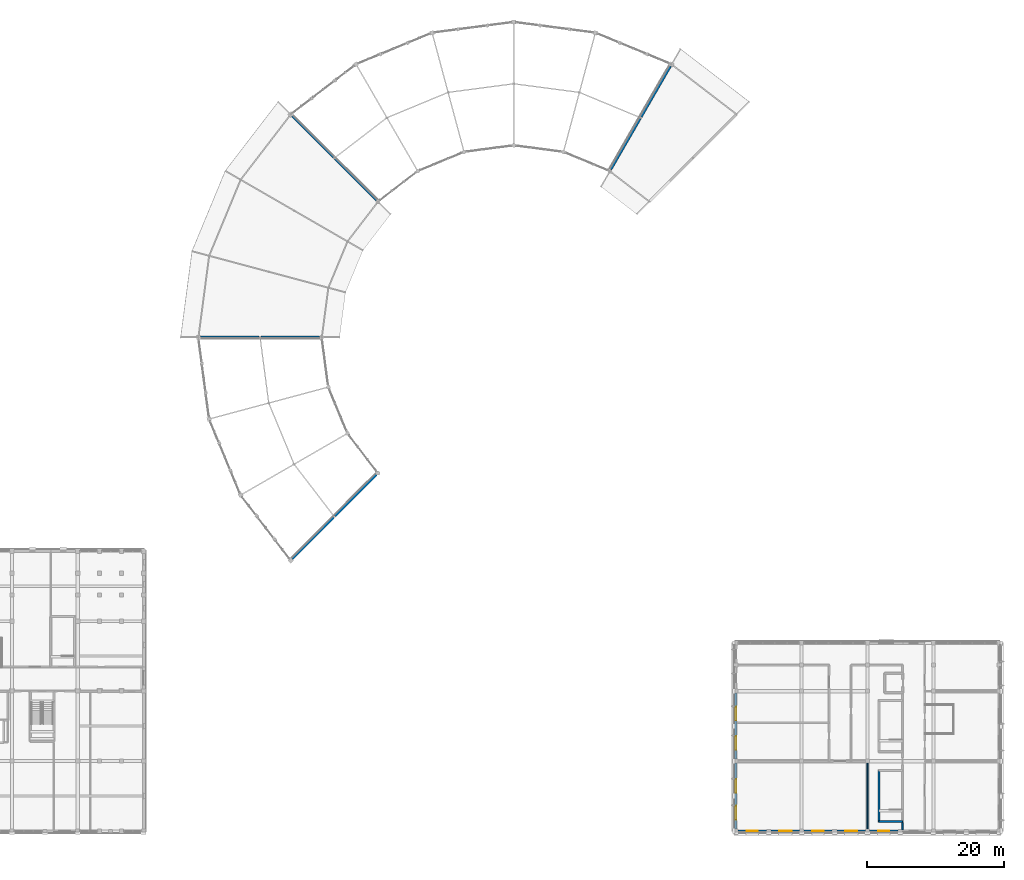
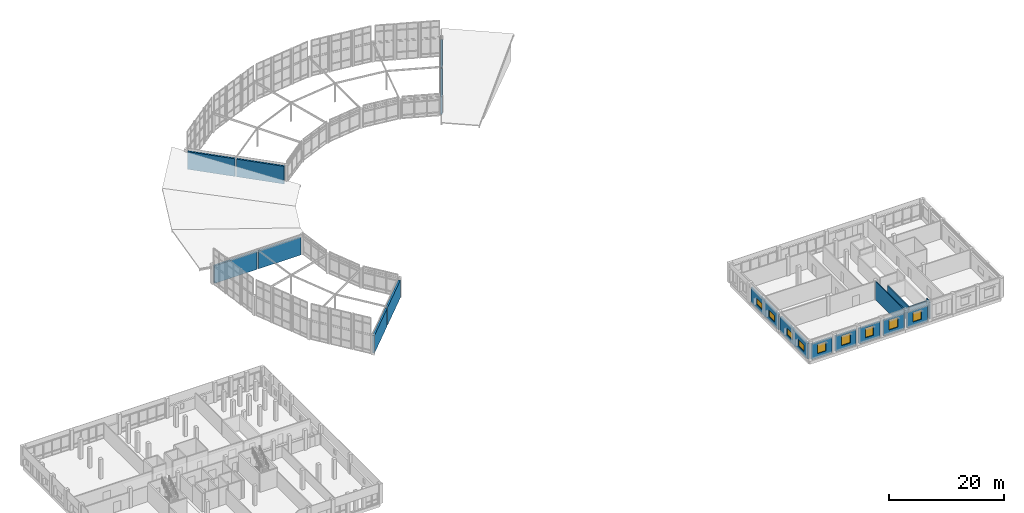
# One storey, part 82 of 93: 19 walls, 9 windows, 9 openings.
"""IFC4 building model written with IfcOpenShell, lengths in metres."""

from ifc_helpers import new_model, si_unit, direction, frame, frame_2d, origin, place, context, subcontext, project, spatial, rectangle, extrude, material, layer, layer_set, type_object, element, fill, save


model = new_model("IFC4")

# Units and contexts
model_context = context("Model", 3, precision=1e-05, world=origin(), true_north=direction((0.0, 1.0)))
body_context = subcontext(model_context, "Body", "Model", "MODEL_VIEW")
ifc_project = project(units=[si_unit("LENGTHUNIT", "METRE"), si_unit("AREAUNIT", "SQUARE_METRE"), si_unit("VOLUMEUNIT", "CUBIC_METRE"), si_unit("PLANEANGLEUNIT", "RADIAN"), si_unit("MASSUNIT", "GRAM", prefix="KILO")], contexts=[model_context])

# Site, building, storey
site_placement = place(None, origin())
site = spatial("IfcSite", under=ifc_project, at=site_placement, CompositionType="ELEMENT")
building_placement = place(site_placement, origin())
building = spatial("IfcBuilding", under=site, at=building_placement, Name="Vondelvale Polytechnic", CompositionType="ELEMENT")
storey_placement = place(building_placement, frame((0.0, 0.0, 18.0)))
storey = spatial("IfcBuildingStorey", under=building, at=storey_placement, Name="L04", CompositionType="ELEMENT", Elevation=18.0)

# Wall, opening, window
ifc_material_1 = material(Name="Amsterdam School iron-spot clinker clay brickwork", Category="masonry")
ifc_layer_1 = layer(ifc_material_1, 0.35009765625)
ifc_layer_set_1 = layer_set([ifc_layer_1], Name="WL-BRICK-350")
wall_type_1 = type_object("IfcWallType", Name="WL-BRICK-350", PredefinedType="SOLIDWALL", material=ifc_layer_set_1)
wall_1_placement = place(storey_placement, frame((138.84912109375, 0.0, 0.0), z_axis=(0.0, 0.0, 1.0), x_axis=(-1.0, 0.0, 0.0)))
wall_1 = element("IfcWall", 1, at=wall_1_placement, inside=storey, type_object=wall_type_1, Name="L04 exterior masonry facade wall", PredefinedType="SOLIDWALL", context=body_context, shape_type="SweptSolid", body=[
    extrude(rectangle(XDim=4.148193359375, YDim=0.35009765625, at=frame_2d((2.07421875, 0.0))), origin(), (0.0, 0.0, 1.0), 3.300048828125),
])
opening_1_placement = place(wall_1_placement, frame((1.2490234375, 0.0, 0.85009765625)))
opening_1 = element("IfcOpeningElement", 2, at=opening_1_placement, cuts=wall_1, Name="Opening WN-0416", PredefinedType="OPENING", context=body_context, shape_type="SweptSolid", body=[
    extrude(rectangle(XDim=1.64990234375, YDim=2.0, at=frame_2d((0.824951171875, 1.0))), frame((0.0, 0.18505859375, 0.0), z_axis=(0.0, -1.0, 0.0), x_axis=(1.0, 0.0, 0.0)), (0.0, 0.0, 1.0), 0.3701171875),
])
ifc_material_2 = material(Name="Double-glazed low-E insulated architectural glass", Category="glass")
window_type_1 = type_object("IfcWindowType", Name="WN-LAB-1650x2000", PartitioningType="SINGLE_PANEL", PredefinedType="WINDOW", material=ifc_material_2)
window_1_placement = place(opening_1_placement, origin())
window_1 = element("IfcWindow", 3, at=window_1_placement, inside=storey, type_object=window_type_1, Name="L04 double-glazed architectural window WN-0416", OverallHeight=2.0, OverallWidth=1.64990234375, PartitioningType="SINGLE_PANEL", PredefinedType="WINDOW", context=body_context, shape_type="SweptSolid", body=[
    extrude(rectangle(XDim=1.64990234375, YDim=2.0, at=frame_2d((0.824951171875, 1.0))), frame((0.0, 0.030029296875, 0.0), z_axis=(0.0, -1.0, 0.0), x_axis=(1.0, 0.0, 0.0)), (0.0, 0.0, 1.0), 0.06005859375),
])
fill(opening_1, window_1)

wall_2_placement = place(storey_placement, frame((143.698974609375, 0.0, 0.0), z_axis=(0.0, 0.0, 1.0), x_axis=(-1.0, 0.0, 0.0)))
wall_2 = element("IfcWall", 4, at=wall_2_placement, inside=storey, type_object=wall_type_1, Name="L04 exterior masonry facade wall", PredefinedType="SOLIDWALL", context=body_context, shape_type="SweptSolid", body=[
    extrude(rectangle(XDim=4.14794921875, YDim=0.35009765625, at=frame_2d((2.073974609375, 0.0))), origin(), (0.0, 0.0, 1.0), 3.300048828125),
])
opening_2_placement = place(wall_2_placement, frame((1.174072265625, 0.0, 0.85009765625)))
opening_2 = element("IfcOpeningElement", 5, at=opening_2_placement, cuts=wall_2, Name="Opening WN-0417", PredefinedType="OPENING", context=body_context, shape_type="SweptSolid", body=[
    extrude(rectangle(XDim=1.800048828125, YDim=2.10009765625, at=frame_2d((0.89990234375, 1.050048828125))), frame((0.0, 0.18505859375, 0.0), z_axis=(0.0, -1.0, 0.0), x_axis=(1.0, 0.0, 0.0)), (0.0, 0.0, 1.0), 0.3701171875),
])
window_type_2 = type_object("IfcWindowType", Name="WN-LAB-1800x2100", PartitioningType="SINGLE_PANEL", PredefinedType="WINDOW", material=ifc_material_2)
window_2_placement = place(opening_2_placement, origin())
window_2 = element("IfcWindow", 6, at=window_2_placement, inside=storey, type_object=window_type_2, Name="L04 double-glazed architectural window WN-0417", OverallHeight=2.10009765625, OverallWidth=1.800048828125, PartitioningType="SINGLE_PANEL", PredefinedType="WINDOW", context=body_context, shape_type="SweptSolid", body=[
    extrude(rectangle(XDim=1.800048828125, YDim=2.10009765625, at=frame_2d((0.89990234375, 1.050048828125))), frame((0.0, 0.030029296875, 0.0), z_axis=(0.0, -1.0, 0.0), x_axis=(1.0, 0.0, 0.0)), (0.0, 0.0, 1.0), 0.06005859375),
])
fill(opening_2, window_2)

wall_3_placement = place(storey_placement, frame((148.448974609375, 0.0, 0.0), z_axis=(0.0, 0.0, 1.0), x_axis=(-1.0, 0.0, 0.0)))
wall_3 = element("IfcWall", 7, at=wall_3_placement, inside=storey, type_object=wall_type_1, Name="L04 exterior masonry facade wall", PredefinedType="SOLIDWALL", context=body_context, shape_type="SweptSolid", body=[
    extrude(rectangle(XDim=4.14794921875, YDim=0.35009765625, at=frame_2d((2.073974609375, 0.0))), origin(), (0.0, 0.0, 1.0), 3.300048828125),
])
opening_3_placement = place(wall_3_placement, frame((1.2490234375, 0.0, 0.85009765625)))
opening_3 = element("IfcOpeningElement", 8, at=opening_3_placement, cuts=wall_3, Name="Opening WN-0418", PredefinedType="OPENING", context=body_context, shape_type="SweptSolid", body=[
    extrude(rectangle(XDim=1.64990234375, YDim=2.0, at=frame_2d((0.824951171875, 1.0))), frame((0.0, 0.18505859375, 0.0), z_axis=(0.0, -1.0, 0.0), x_axis=(1.0, 0.0, 0.0)), (0.0, 0.0, 1.0), 0.3701171875),
])
window_3_placement = place(opening_3_placement, origin())
window_3 = element("IfcWindow", 9, at=window_3_placement, inside=storey, type_object=window_type_1, Name="L04 double-glazed architectural window WN-0418", OverallHeight=2.0, OverallWidth=1.64990234375, PartitioningType="SINGLE_PANEL", PredefinedType="WINDOW", context=body_context, shape_type="SweptSolid", body=[
    extrude(rectangle(XDim=1.64990234375, YDim=2.0, at=frame_2d((0.824951171875, 1.0))), frame((0.0, 0.030029296875, 0.0), z_axis=(0.0, -1.0, 0.0), x_axis=(1.0, 0.0, 0.0)), (0.0, 0.0, 1.0), 0.06005859375),
])
fill(opening_3, window_3)

wall_4_placement = place(storey_placement, frame((153.299072265625, 0.0, 0.0), z_axis=(0.0, 0.0, 1.0), x_axis=(-1.0, 0.0, 0.0)))
wall_4 = element("IfcWall", 10, at=wall_4_placement, inside=storey, type_object=wall_type_1, Name="L04 exterior masonry facade wall", PredefinedType="SOLIDWALL", context=body_context, shape_type="SweptSolid", body=[
    extrude(rectangle(XDim=4.148193359375, YDim=0.35009765625, at=frame_2d((2.07421875, 0.0))), origin(), (0.0, 0.0, 1.0), 3.300048828125),
])
opening_4_placement = place(wall_4_placement, frame((1.174072265625, 0.0, 0.85009765625)))
opening_4 = element("IfcOpeningElement", 11, at=opening_4_placement, cuts=wall_4, Name="Opening WN-0419", PredefinedType="OPENING", context=body_context, shape_type="SweptSolid", body=[
    extrude(rectangle(XDim=1.800048828125, YDim=2.10009765625, at=frame_2d((0.89990234375, 1.050048828125))), frame((0.0, 0.18505859375, 0.0), z_axis=(0.0, -1.0, 0.0), x_axis=(1.0, 0.0, 0.0)), (0.0, 0.0, 1.0), 0.3701171875),
])
window_4_placement = place(opening_4_placement, origin())
window_4 = element("IfcWindow", 12, at=window_4_placement, inside=storey, type_object=window_type_2, Name="L04 double-glazed architectural window WN-0419", OverallHeight=2.10009765625, OverallWidth=1.800048828125, PartitioningType="SINGLE_PANEL", PredefinedType="WINDOW", context=body_context, shape_type="SweptSolid", body=[
    extrude(rectangle(XDim=1.800048828125, YDim=2.10009765625, at=frame_2d((0.89990234375, 1.050048828125))), frame((0.0, 0.030029296875, 0.0), z_axis=(0.0, -1.0, 0.0), x_axis=(1.0, 0.0, 0.0)), (0.0, 0.0, 1.0), 0.06005859375),
])
fill(opening_4, window_4)

wall_5_placement = place(storey_placement, frame((158.049072265625, 0.0, 0.0), z_axis=(0.0, 0.0, 1.0), x_axis=(-1.0, 0.0, 0.0)))
wall_5 = element("IfcWall", 13, at=wall_5_placement, inside=storey, type_object=wall_type_1, Name="L04 exterior masonry facade wall", PredefinedType="SOLIDWALL", context=body_context, shape_type="SweptSolid", body=[
    extrude(rectangle(XDim=4.148193359375, YDim=0.35009765625, at=frame_2d((2.07421875, 0.0))), origin(), (0.0, 0.0, 1.0), 3.300048828125),
])
opening_5_placement = place(wall_5_placement, frame((1.2490234375, 0.0, 0.85009765625)))
opening_5 = element("IfcOpeningElement", 14, at=opening_5_placement, cuts=wall_5, Name="Opening WN-0420", PredefinedType="OPENING", context=body_context, shape_type="SweptSolid", body=[
    extrude(rectangle(XDim=1.64990234375, YDim=2.0, at=frame_2d((0.824951171875, 1.0))), frame((0.0, 0.18505859375, 0.0), z_axis=(0.0, -1.0, 0.0), x_axis=(1.0, 0.0, 0.0)), (0.0, 0.0, 1.0), 0.3701171875),
])
window_5_placement = place(opening_5_placement, origin())
window_5 = element("IfcWindow", 15, at=window_5_placement, inside=storey, type_object=window_type_1, Name="L04 double-glazed architectural window WN-0420", OverallHeight=2.0, OverallWidth=1.64990234375, PartitioningType="SINGLE_PANEL", PredefinedType="WINDOW", context=body_context, shape_type="SweptSolid", body=[
    extrude(rectangle(XDim=1.64990234375, YDim=2.0, at=frame_2d((0.824951171875, 1.0))), frame((0.0, 0.030029296875, 0.0), z_axis=(0.0, -1.0, 0.0), x_axis=(1.0, 0.0, 0.0)), (0.0, 0.0, 1.0), 0.06005859375),
])
fill(opening_5, window_5)

# Wall, openings, windows
wall_6_placement = place(storey_placement, frame((134.39990234375, 0.301025390625, 0.0), z_axis=(0.0, 0.0, 1.0), x_axis=(0.0, 1.0, 0.0)))
wall_6 = element("IfcWall", 16, at=wall_6_placement, inside=storey, type_object=wall_type_1, Name="L04 exterior masonry facade wall", PredefinedType="SOLIDWALL", context=body_context, shape_type="SweptSolid", body=[
    extrude(rectangle(XDim=9.597900390625, YDim=0.35009765625, at=frame_2d((4.798828125, 0.0))), origin(), (0.0, 0.0, 1.0), 3.300048828125),
])
opening_6_placement = place(wall_6_placement, frame((1.35009765625, 0.0, 0.85009765625)))
opening_6 = element("IfcOpeningElement", 17, at=opening_6_placement, cuts=wall_6, Name="Opening WN-0424", PredefinedType="OPENING", context=body_context, shape_type="SweptSolid", body=[
    extrude(rectangle(XDim=2.0, YDim=1.35009765625, at=frame_2d((1.0, 0.675048828125))), frame((0.0, 0.18505859375, 0.0), z_axis=(0.0, -1.0, 0.0), x_axis=(1.0, 0.0, 0.0)), (0.0, 0.0, 1.0), 0.3701171875),
])
opening_7_placement = place(wall_6_placement, frame((5.25, 0.0, 0.85009765625)))
opening_7 = element("IfcOpeningElement", 18, at=opening_7_placement, cuts=wall_6, Name="Opening WN-0425", PredefinedType="OPENING", context=body_context, shape_type="SweptSolid", body=[
    extrude(rectangle(XDim=2.0, YDim=1.35009765625, at=frame_2d((1.0, 0.675048828125))), frame((0.0, 0.18505859375, 0.0), z_axis=(0.0, -1.0, 0.0), x_axis=(1.0, 0.0, 0.0)), (0.0, 0.0, 1.0), 0.3701171875),
])
window_type_3 = type_object("IfcWindowType", Name="WN-RIB-2000x1350", PartitioningType="SINGLE_PANEL", PredefinedType="WINDOW", material=ifc_material_2)
window_6_placement = place(opening_6_placement, origin())
window_6 = element("IfcWindow", 19, at=window_6_placement, inside=storey, type_object=window_type_3, Name="L04 double-glazed architectural window WN-0424", OverallHeight=1.35009765625, OverallWidth=2.0, PartitioningType="SINGLE_PANEL", PredefinedType="WINDOW", context=body_context, shape_type="SweptSolid", body=[
    extrude(rectangle(XDim=2.0, YDim=1.35009765625, at=frame_2d((1.0, 0.675048828125))), frame((0.0, 0.030029296875, 0.0), z_axis=(0.0, -1.0, 0.0), x_axis=(1.0, 0.0, 0.0)), (0.0, 0.0, 1.0), 0.06005859375),
])
fill(opening_6, window_6)
window_7_placement = place(opening_7_placement, origin())
window_7 = element("IfcWindow", 20, at=window_7_placement, inside=storey, type_object=window_type_3, Name="L04 double-glazed architectural window WN-0425", OverallHeight=1.35009765625, OverallWidth=2.0, PartitioningType="SINGLE_PANEL", PredefinedType="WINDOW", context=body_context, shape_type="SweptSolid", body=[
    extrude(rectangle(XDim=2.0, YDim=1.35009765625, at=frame_2d((1.0, 0.675048828125))), frame((0.0, 0.030029296875, 0.0), z_axis=(0.0, -1.0, 0.0), x_axis=(1.0, 0.0, 0.0)), (0.0, 0.0, 1.0), 0.06005859375),
])
fill(opening_7, window_7)

wall_7_placement = place(storey_placement, frame((134.39990234375, 10.5009765625, 0.0), z_axis=(0.0, 0.0, 1.0), x_axis=(0.0, 1.0, 0.0)))
wall_7 = element("IfcWall", 21, at=wall_7_placement, inside=storey, type_object=wall_type_1, Name="L04 exterior masonry facade wall", PredefinedType="SOLIDWALL", context=body_context, shape_type="SweptSolid", body=[
    extrude(rectangle(XDim=9.59814453125, YDim=0.35009765625, at=frame_2d((4.799072265625, 0.0))), origin(), (0.0, 0.0, 1.0), 3.300048828125),
])
opening_8_placement = place(wall_7_placement, frame((1.35009765625, 0.0, 0.85009765625)))
opening_8 = element("IfcOpeningElement", 22, at=opening_8_placement, cuts=wall_7, Name="Opening WN-0426", PredefinedType="OPENING", context=body_context, shape_type="SweptSolid", body=[
    extrude(rectangle(XDim=2.0, YDim=1.35009765625, at=frame_2d((1.0, 0.675048828125))), frame((0.0, 0.18505859375, 0.0), z_axis=(0.0, -1.0, 0.0), x_axis=(1.0, 0.0, 0.0)), (0.0, 0.0, 1.0), 0.3701171875),
])
opening_9_placement = place(wall_7_placement, frame((5.618896484375, 0.0, 0.85009765625)))
opening_9 = element("IfcOpeningElement", 23, at=opening_9_placement, cuts=wall_7, Name="Opening WN-0427", PredefinedType="OPENING", context=body_context, shape_type="SweptSolid", body=[
    extrude(rectangle(XDim=2.0, YDim=1.35009765625, at=frame_2d((1.0, 0.675048828125))), frame((0.0, 0.18505859375, 0.0), z_axis=(0.0, -1.0, 0.0), x_axis=(1.0, 0.0, 0.0)), (0.0, 0.0, 1.0), 0.3701171875),
])
window_8_placement = place(opening_8_placement, origin())
window_8 = element("IfcWindow", 24, at=window_8_placement, inside=storey, type_object=window_type_3, Name="L04 double-glazed architectural window WN-0426", OverallHeight=1.35009765625, OverallWidth=2.0, PartitioningType="SINGLE_PANEL", PredefinedType="WINDOW", context=body_context, shape_type="SweptSolid", body=[
    extrude(rectangle(XDim=2.0, YDim=1.35009765625, at=frame_2d((1.0, 0.675048828125))), frame((0.0, 0.030029296875, 0.0), z_axis=(0.0, -1.0, 0.0), x_axis=(1.0, 0.0, 0.0)), (0.0, 0.0, 1.0), 0.06005859375),
])
fill(opening_8, window_8)
window_9_placement = place(opening_9_placement, origin())
window_9 = element("IfcWindow", 25, at=window_9_placement, inside=storey, type_object=window_type_3, Name="L04 double-glazed architectural window WN-0427", OverallHeight=1.35009765625, OverallWidth=2.0, PartitioningType="SINGLE_PANEL", PredefinedType="WINDOW", context=body_context, shape_type="SweptSolid", body=[
    extrude(rectangle(XDim=2.0, YDim=1.35009765625, at=frame_2d((1.0, 0.675048828125))), frame((0.0, 0.030029296875, 0.0), z_axis=(0.0, -1.0, 0.0), x_axis=(1.0, 0.0, 0.0)), (0.0, 0.0, 1.0), 0.06005859375),
])
fill(opening_9, window_9)

# Walls
wall_8_placement = place(storey_placement, frame((116.14990234375, 96.50830078125, 0.0), z_axis=(0.0, 0.0, 1.0), x_axis=(0.499998569178, 0.866026229868, 0.0)))
element("IfcWall", 26, at=wall_8_placement, inside=storey, type_object=wall_type_1, Name="L04 exterior masonry facade wall", PredefinedType="SOLIDWALL", context=body_context, shape_type="SweptSolid", body=[
    extrude(rectangle(XDim=8.572265625, YDim=0.35009765625, at=frame_2d((4.2861328125, 0.0))), origin(), (0.0, 0.0, 1.0), 3.760009765625),
])
wall_9_placement = place(storey_placement, frame((120.56396484375, 104.15380859375, 0.0), z_axis=(0.0, 0.0, 1.0), x_axis=(0.500017512884, 0.86601529248, 0.0)))
element("IfcWall", 27, at=wall_9_placement, inside=storey, type_object=wall_type_1, Name="L04 exterior masonry facade wall", PredefinedType="SOLIDWALL", context=body_context, shape_type="SweptSolid", body=[
    extrude(rectangle(XDim=8.571044921875, YDim=0.35009765625, at=frame_2d((4.28564453125, 0.0))), origin(), (0.0, 0.0, 1.0), 3.760009765625),
])
for number, where, z_axis, x_axis, name in (
    (28, (69.685791015625, 104.314208984375, 0.0), (0.0, 0.0, 1.0), (0.707106781187, -0.707106781187, 0.0), "L04 exterior masonry facade wall"),
    (29, (75.927490234375, 98.072509765625, 0.0), (0.0, 0.0, 1.0), (0.707106781187, -0.707106781187, 0.0), "L04 exterior masonry facade wall"),
):
    element("IfcWall", number, at=place(storey_placement, frame(where, z_axis=z_axis, x_axis=x_axis)), inside=storey, type_object=wall_type_1, Name=name, PredefinedType="SOLIDWALL", context=body_context, shape_type="SweptSolid", body=[
        extrude(rectangle(XDim=8.5712890625, YDim=0.35009765625, at=frame_2d((4.28564453125, 0.0))), origin(), (0.0, 0.0, 1.0), 3.760009765625),
    ])
for number, where, z_axis, x_axis, name in (
    (30, (73.698974609375, 72.0, 0.0), (0.0, 0.0, 1.0), (-1.0, 0.0, 0.0), "L04 exterior masonry facade wall"),
    (31, (64.8720703125, 72.0, 0.0), (0.0, 0.0, 1.0), (-1.0, 0.0, 0.0), "L04 exterior masonry facade wall"),
):
    element("IfcWall", number, at=place(storey_placement, frame(where, z_axis=z_axis, x_axis=x_axis)), inside=storey, type_object=wall_type_1, Name=name, PredefinedType="SOLIDWALL", context=body_context, shape_type="SweptSolid", body=[
        extrude(rectangle(XDim=8.571044921875, YDim=0.35009765625, at=frame_2d((4.28564453125, 0.0))), origin(), (0.0, 0.0, 1.0), 3.760009765625),
    ])
for number, where, z_axis, x_axis, name in (
    (32, (69.685791015625, 39.685791015625, 0.0), (0.0, 0.0, 1.0), (0.707106781187, 0.707106781187, 0.0), "L04 exterior masonry facade wall"),
    (33, (75.927490234375, 45.927490234375, 0.0), (0.0, 0.0, 1.0), (0.707106781187, 0.707106781187, 0.0), "L04 exterior masonry facade wall"),
):
    element("IfcWall", number, at=place(storey_placement, frame(where, z_axis=z_axis, x_axis=x_axis)), inside=storey, type_object=wall_type_1, Name=name, PredefinedType="SOLIDWALL", context=body_context, shape_type="SweptSolid", body=[
        extrude(rectangle(XDim=8.5712890625, YDim=0.35009765625, at=frame_2d((4.28564453125, 0.0))), origin(), (0.0, 0.0, 1.0), 3.760009765625),
    ])
ifc_material_3 = material(Name="Concrete N40 (f'c = 40 MPa)", Category="concrete")
ifc_layer_2 = layer(ifc_material_3, 0.25)
ifc_layer_set_2 = layer_set([ifc_layer_2], Name="WL-CORE-250")
wall_type_2 = type_object("IfcWallType", Name="WL-CORE-250", PredefinedType="SOLIDWALL", material=ifc_layer_set_2)
wall_10_placement = place(storey_placement, frame((155.27490234375, 8.824951171875, 0.0), z_axis=(0.0, 0.0, 1.0), x_axis=(0.0, -1.0, 0.0)))
element("IfcWall", 34, at=wall_10_placement, inside=storey, type_object=wall_type_2, Name="L04 ST-06 reinforced concrete stair core wall", PredefinedType="SOLIDWALL", context=body_context, shape_type="SweptSolid", body=[
    extrude(rectangle(XDim=7.449951171875, YDim=0.25, at=frame_2d((3.72509765625, 0.0))), origin(), (0.0, 0.0, 1.0), 3.14990234375),
])
wall_11_placement = place(storey_placement, frame((155.27490234375, 1.375, 0.0), z_axis=(0.0, 0.0, 1.0), x_axis=(1.0, 0.0, 0.0)))
element("IfcWall", 35, at=wall_11_placement, inside=storey, type_object=wall_type_2, Name="L04 ST-06 reinforced concrete stair core wall", PredefinedType="SOLIDWALL", context=body_context, shape_type="SweptSolid", body=[
    extrude(rectangle(XDim=3.4501953125, YDim=0.25, at=frame_2d((1.72509765625, 0.0))), origin(), (0.0, 0.0, 1.0), 3.14990234375),
])
ifc_material_4 = material(Name="Fire-rated double-layer plasterboard stud partition")
ifc_layer_3 = layer(ifc_material_4, 0.199951171875)
ifc_layer_set_3 = layer_set([ifc_layer_3], Name="WL-CORR-200")
wall_type_3 = type_object("IfcWallType", Name="WL-CORR-200", PredefinedType="PARTITIONING", material=ifc_layer_set_3)
wall_12_placement = place(storey_placement, frame((153.60009765625, 0.14990234375, 0.0), z_axis=(0.0, 0.0, 1.0), x_axis=(0.0, 1.0, 0.0)))
element("IfcWall", 36, at=wall_12_placement, inside=storey, type_object=wall_type_3, Name="L04 interior acoustic partition", PredefinedType="PARTITIONING", context=body_context, shape_type="SweptSolid", body=[
    extrude(rectangle(XDim=10.050048828125, YDim=0.199951171875, at=frame_2d((5.02490234375, 0.0))), origin(), (0.0, 0.0, 1.0), 3.85009765625),
])
wall_13_placement = place(storey_placement, frame((158.72509765625, 0.14990234375, 0.0), z_axis=(0.0, 0.0, 1.0), x_axis=(0.0, 1.0, 0.0)))
element("IfcWall", 37, at=wall_13_placement, inside=storey, type_object=wall_type_3, Name="L04 interior acoustic partition", PredefinedType="PARTITIONING", context=body_context, shape_type="SweptSolid", body=[
    extrude(rectangle(XDim=1.06005859375, YDim=0.199951171875, at=frame_2d((0.530029296875, 0.0))), origin(), (0.0, 0.0, 1.0), 3.85009765625),
])

save(model, "model.ifc")
